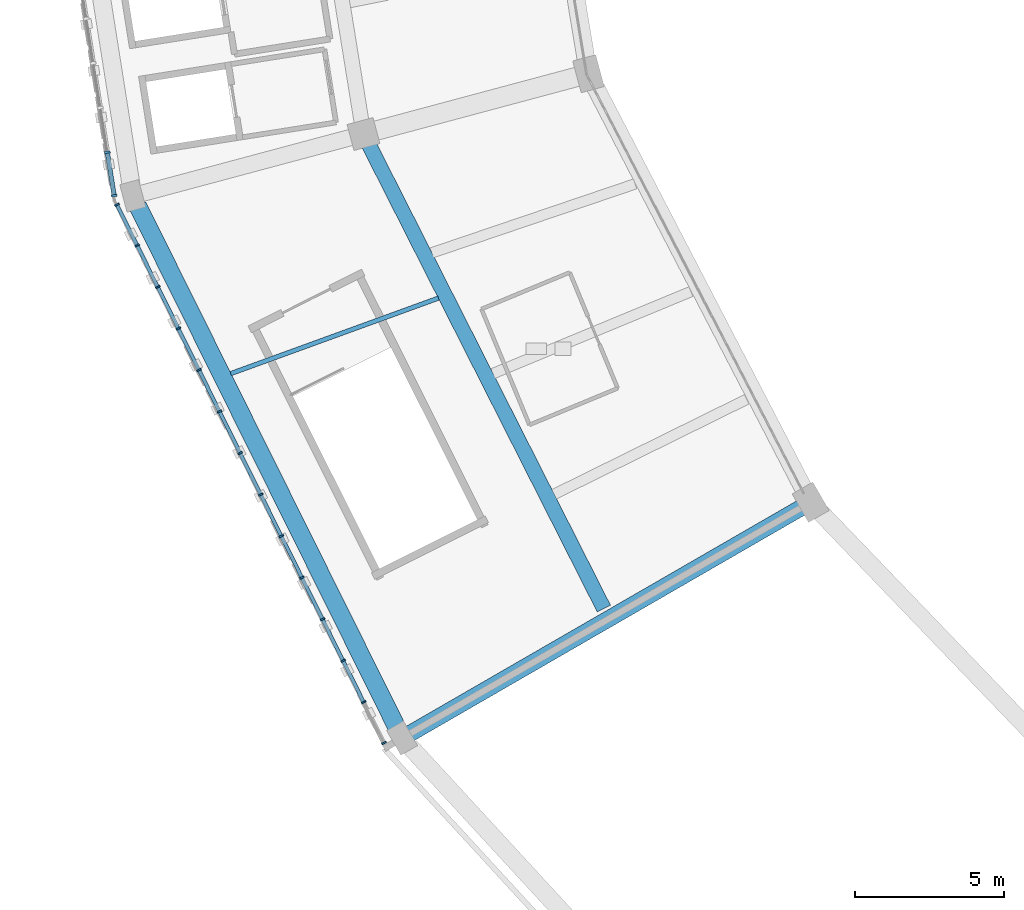
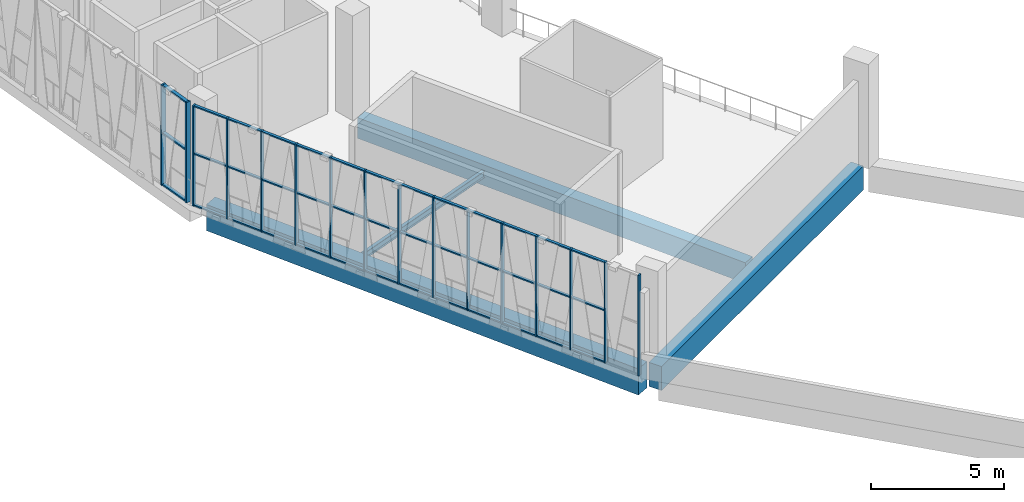
# One storey, part 4 of 64: 55 members, 4 beams, 2 elements without a shape of their own.
"""IFC4 building model written with IfcOpenShell, lengths in metres."""

from ifc_helpers import new_model, si_unit, direction, frame, origin, origin_2d, place, context, subcontext, project, spatial, rectangle, i_section, extrude, material, material_profile, profile_set, type_object, element, aggregate, save


model = new_model("IFC4")

# Units and contexts
model_context = context("Model", 3, precision=1e-05, world=origin(), true_north=direction((0.0, 1.0)))
body_context = subcontext(model_context, "Body", "Model", "MODEL_VIEW")
ifc_project = project(units=[si_unit("LENGTHUNIT", "METRE"), si_unit("AREAUNIT", "SQUARE_METRE"), si_unit("VOLUMEUNIT", "CUBIC_METRE"), si_unit("PLANEANGLEUNIT", "RADIAN"), si_unit("MASSUNIT", "GRAM", prefix="KILO")], contexts=[model_context])

# Site, building, storey
site_placement = place(None, origin())
site = spatial("IfcSite", under=ifc_project, at=site_placement, CompositionType="ELEMENT")
building_placement = place(site_placement, origin())
building = spatial("IfcBuilding", under=site, at=building_placement, Name="Zevraka Park Crest Stadium", CompositionType="ELEMENT")
storey_placement = place(building_placement, frame((0.0, 0.0, 24.60009765625)))
storey = spatial("IfcBuildingStorey", under=building, at=storey_placement, Name="L05", CompositionType="ELEMENT", Elevation=24.60009765625)

# Beam
ifc_material_1 = material(Name="Concrete C40/50", Category="concrete")
ifc_material_profile_1 = material_profile(ifc_material_1, rectangle(XDim=0.550048828125, YDim=1.10009765625, at=origin_2d()), Name="RC 1100x550")
ifc_profile_set_1 = profile_set([ifc_material_profile_1], Name="Concrete C40/50")
beam_type_1 = type_object("IfcBeamType", Name="BG02", PredefinedType="BEAM", material=ifc_profile_set_1)
beam_1_placement = place(storey_placement, frame((47.220947265625, 62.10009765625, -0.56005859375), z_axis=(-0.86601037836, -0.500026023896, 0.0), x_axis=(0.500026023896, -0.86601037836, 0.0)))
element("IfcBeam", 1, at=beam_1_placement, inside=storey, type_object=beam_type_1, Name="Radial Girder BG02 L05-BD-14", PredefinedType="BEAM", context=body_context, shape_type="SweptSolid", body=[
    extrude(rectangle(XDim=0.550048828125, YDim=1.10009765625, at=origin_2d()), origin(), (0.0, 0.0, 1.0), 15.199462890625),
])

# Curtain wall, members
ifc_material_2 = material(Name="Anodised architectural aluminium and laminated safety glass", Category="aluminium")
curtain_wall_type_1 = type_object("IfcCurtainWallType", Name="CW22", PredefinedType="NOTDEFINED", material=ifc_material_2)
curtain_wall_1_placement = place(storey_placement, origin())
curtain_wall_1 = element("IfcCurtainWall", 2, at=curtain_wall_1_placement, inside=storey, type_object=curtain_wall_type_1, Name="Unitised Ring Curtain Wall CW22 L05-13", PredefinedType="NOTDEFINED")
ifc_material_3 = material(Name="Anodised architectural aluminium", Category="aluminium")
ifc_material_profile_2 = material_profile(ifc_material_3, rectangle(XDim=0.159912109375, YDim=0.06005859375, at=origin_2d()), Name="ALU MULLION 160x60")
ifc_profile_set_2 = profile_set([ifc_material_profile_2], Name="Anodised architectural aluminium")
member_type_1 = type_object("IfcMemberType", Name="CM01", PredefinedType="MULLION", material=ifc_profile_set_2)
member_1_placement = place(storey_placement, frame((24.248291015625, 72.213134765625, 0.0), z_axis=(0.0, 0.0, 1.0), x_axis=(0.895879320455, 0.444297471499, 0.0)))
member_1 = element("IfcMember", 3, at=member_1_placement, type_object=member_type_1, Name="CW22 mullion 1", PredefinedType="MULLION", context=body_context, shape_type="SweptSolid", body=[
    extrude(rectangle(XDim=0.159912109375, YDim=0.06005859375, at=origin_2d()), origin(), (0.0, 0.0, 1.0), 4.619873046875),
])
member_2_placement = place(storey_placement, frame((24.9248046875, 70.849365234375, 0.0), z_axis=(0.0, 0.0, 1.0), x_axis=(0.895879320455, 0.444297471499, 0.0)))
member_2 = element("IfcMember", 4, at=member_2_placement, type_object=member_type_1, Name="CW22 mullion 2", PredefinedType="MULLION", context=body_context, shape_type="SweptSolid", body=[
    extrude(rectangle(XDim=0.159912109375, YDim=0.06005859375, at=origin_2d()), origin(), (0.0, 0.0, 1.0), 4.619873046875),
])
member_3_placement = place(storey_placement, frame((25.614501953125, 69.45849609375, 0.0), z_axis=(0.0, 0.0, 1.0), x_axis=(0.895879320455, 0.444297471499, 0.0)))
member_3 = element("IfcMember", 5, at=member_3_placement, type_object=member_type_1, Name="CW22 mullion 3", PredefinedType="MULLION", context=body_context, shape_type="SweptSolid", body=[
    extrude(rectangle(XDim=0.159912109375, YDim=0.06005859375, at=origin_2d()), origin(), (0.0, 0.0, 1.0), 4.619873046875),
])
member_4_placement = place(storey_placement, frame((26.303955078125, 68.06787109375, 0.0), z_axis=(0.0, 0.0, 1.0), x_axis=(0.895879320455, 0.444297471499, 0.0)))
member_4 = element("IfcMember", 6, at=member_4_placement, type_object=member_type_1, Name="CW22 mullion 4", PredefinedType="MULLION", context=body_context, shape_type="SweptSolid", body=[
    extrude(rectangle(XDim=0.159912109375, YDim=0.06005859375, at=origin_2d()), origin(), (0.0, 0.0, 1.0), 4.619873046875),
])
member_5_placement = place(storey_placement, frame((26.99365234375, 66.67724609375, 0.0), z_axis=(0.0, 0.0, 1.0), x_axis=(0.895879320455, 0.444297471499, 0.0)))
member_5 = element("IfcMember", 7, at=member_5_placement, type_object=member_type_1, Name="CW22 mullion 5", PredefinedType="MULLION", context=body_context, shape_type="SweptSolid", body=[
    extrude(rectangle(XDim=0.159912109375, YDim=0.06005859375, at=origin_2d()), origin(), (0.0, 0.0, 1.0), 4.619873046875),
])
member_6_placement = place(storey_placement, frame((27.683349609375, 65.28662109375, 0.0), z_axis=(0.0, 0.0, 1.0), x_axis=(0.895879320455, 0.444297471499, 0.0)))
member_6 = element("IfcMember", 8, at=member_6_placement, type_object=member_type_1, Name="CW22 mullion 6", PredefinedType="MULLION", context=body_context, shape_type="SweptSolid", body=[
    extrude(rectangle(XDim=0.159912109375, YDim=0.06005859375, at=origin_2d()), origin(), (0.0, 0.0, 1.0), 4.619873046875),
])
member_7_placement = place(storey_placement, frame((28.373046875, 63.895751953125, 0.0), z_axis=(0.0, 0.0, 1.0), x_axis=(0.895879320455, 0.444297471499, 0.0)))
member_7 = element("IfcMember", 9, at=member_7_placement, type_object=member_type_1, Name="CW22 mullion 7", PredefinedType="MULLION", context=body_context, shape_type="SweptSolid", body=[
    extrude(rectangle(XDim=0.159912109375, YDim=0.06005859375, at=origin_2d()), origin(), (0.0, 0.0, 1.0), 4.619873046875),
])
member_8_placement = place(storey_placement, frame((29.062744140625, 62.505126953125, 0.0), z_axis=(0.0, 0.0, 1.0), x_axis=(0.895879320455, 0.444297471499, 0.0)))
member_8 = element("IfcMember", 10, at=member_8_placement, type_object=member_type_1, Name="CW22 mullion 8", PredefinedType="MULLION", context=body_context, shape_type="SweptSolid", body=[
    extrude(rectangle(XDim=0.159912109375, YDim=0.06005859375, at=origin_2d()), origin(), (0.0, 0.0, 1.0), 4.619873046875),
])
member_9_placement = place(storey_placement, frame((29.75244140625, 61.114501953125, 0.0), z_axis=(0.0, 0.0, 1.0), x_axis=(0.895879320455, 0.444297471499, 0.0)))
member_9 = element("IfcMember", 11, at=member_9_placement, type_object=member_type_1, Name="CW22 mullion 9", PredefinedType="MULLION", context=body_context, shape_type="SweptSolid", body=[
    extrude(rectangle(XDim=0.159912109375, YDim=0.06005859375, at=origin_2d()), origin(), (0.0, 0.0, 1.0), 4.619873046875),
])
member_10_placement = place(storey_placement, frame((30.442138671875, 59.723876953125, 0.0), z_axis=(0.0, 0.0, 1.0), x_axis=(0.895879320455, 0.444297471499, 0.0)))
member_10 = element("IfcMember", 12, at=member_10_placement, type_object=member_type_1, Name="CW22 mullion 10", PredefinedType="MULLION", context=body_context, shape_type="SweptSolid", body=[
    extrude(rectangle(XDim=0.159912109375, YDim=0.06005859375, at=origin_2d()), origin(), (0.0, 0.0, 1.0), 4.619873046875),
])
member_11_placement = place(storey_placement, frame((31.1318359375, 58.3330078125, 0.0), z_axis=(0.0, 0.0, 1.0), x_axis=(0.895879320455, 0.444297471499, 0.0)))
member_11 = element("IfcMember", 13, at=member_11_placement, type_object=member_type_1, Name="CW22 mullion 11", PredefinedType="MULLION", context=body_context, shape_type="SweptSolid", body=[
    extrude(rectangle(XDim=0.159912109375, YDim=0.06005859375, at=origin_2d()), origin(), (0.0, 0.0, 1.0), 4.619873046875),
])
member_12_placement = place(storey_placement, frame((31.821533203125, 56.9423828125, 0.0), z_axis=(0.0, 0.0, 1.0), x_axis=(0.895879320455, 0.444297471499, 0.0)))
member_12 = element("IfcMember", 14, at=member_12_placement, type_object=member_type_1, Name="CW22 mullion 12", PredefinedType="MULLION", context=body_context, shape_type="SweptSolid", body=[
    extrude(rectangle(XDim=0.159912109375, YDim=0.06005859375, at=origin_2d()), origin(), (0.0, 0.0, 1.0), 4.619873046875),
])
member_13_placement = place(storey_placement, frame((32.51123046875, 55.5517578125, 0.0), z_axis=(0.0, 0.0, 1.0), x_axis=(0.895879320455, 0.444297471499, 0.0)))
member_13 = element("IfcMember", 15, at=member_13_placement, type_object=member_type_1, Name="CW22 mullion 13", PredefinedType="MULLION", context=body_context, shape_type="SweptSolid", body=[
    extrude(rectangle(XDim=0.159912109375, YDim=0.06005859375, at=origin_2d()), origin(), (0.0, 0.0, 1.0), 4.619873046875),
])
member_14_placement = place(storey_placement, frame((33.187744140625, 54.18798828125, 0.0), z_axis=(0.0, 0.0, 1.0), x_axis=(0.895879320455, 0.444297471499, 0.0)))
member_14 = element("IfcMember", 16, at=member_14_placement, type_object=member_type_1, Name="CW22 mullion 14", PredefinedType="MULLION", context=body_context, shape_type="SweptSolid", body=[
    extrude(rectangle(XDim=0.159912109375, YDim=0.06005859375, at=origin_2d()), origin(), (0.0, 0.0, 1.0), 4.619873046875),
])

ifc_material_4 = material(Name="Anodised architectural aluminium and laminated safety glass", Category="aluminium")
curtain_wall_type_2 = type_object("IfcCurtainWallType", Name="CW21", PredefinedType="NOTDEFINED", material=ifc_material_4)
curtain_wall_2_placement = place(storey_placement, origin())
curtain_wall_2 = element("IfcCurtainWall", 17, at=curtain_wall_2_placement, inside=storey, type_object=curtain_wall_type_2, Name="Unitised Ring Curtain Wall CW21 L05-12", PredefinedType="NOTDEFINED")
ifc_material_5 = material(Name="Anodised architectural aluminium", Category="aluminium")
ifc_material_profile_3 = material_profile(ifc_material_5, rectangle(XDim=0.199951171875, YDim=0.070068359375, at=origin_2d()), Name="ALU MULLION 200x70")
ifc_profile_set_3 = profile_set([ifc_material_profile_3], Name="Anodised architectural aluminium")
member_type_2 = type_object("IfcMemberType", Name="CM03", PredefinedType="MULLION", material=ifc_profile_set_3)
member_15_placement = place(storey_placement, frame((23.9228515625, 73.97265625, 0.0), z_axis=(0.0, 0.0, 1.0), x_axis=(0.987802580924, 0.155711467527, 0.0)))
member_15 = element("IfcMember", 18, at=member_15_placement, type_object=member_type_2, Name="CW21 mullion 13", PredefinedType="MULLION", context=body_context, shape_type="SweptSolid", body=[
    extrude(rectangle(XDim=0.199951171875, YDim=0.070068359375, at=origin_2d()), origin(), (0.0, 0.0, 1.0), 4.619873046875),
])
member_16_placement = place(storey_placement, frame((24.152587890625, 72.515625, 0.0), z_axis=(0.0, 0.0, 1.0), x_axis=(0.987802580924, 0.155711467527, 0.0)))
member_16 = element("IfcMember", 19, at=member_16_placement, type_object=member_type_2, Name="CW21 mullion 14", PredefinedType="MULLION", context=body_context, shape_type="SweptSolid", body=[
    extrude(rectangle(XDim=0.199951171875, YDim=0.070068359375, at=origin_2d()), origin(), (0.0, 0.0, 1.0), 4.619873046875),
])

# Member
ifc_material_6 = material(Name="Anodised architectural aluminium", Category="aluminium")
ifc_material_profile_4 = material_profile(ifc_material_6, rectangle(XDim=0.1201171875, YDim=0.06005859375, at=origin_2d()), Name="ALU TRANSOM 120x60")
ifc_profile_set_4 = profile_set([ifc_material_profile_4], Name="Anodised architectural aluminium")
member_type_3 = type_object("IfcMemberType", Name="CT01", PredefinedType="USERDEFINED", material=ifc_profile_set_4)
member_17_placement = place(storey_placement, frame((24.26171875, 72.186279296875, 0.02978515625), z_axis=(0.444272737826, -0.895891586312, 0.0), x_axis=(0.895891586312, 0.444272737826, 0.0)))
member_17 = element("IfcMember", 20, at=member_17_placement, type_object=member_type_3, Name="CW22 transom 1.1", ObjectType="TRANSOM", PredefinedType="USERDEFINED", context=body_context, shape_type="SweptSolid", body=[
    extrude(rectangle(XDim=0.1201171875, YDim=0.06005859375, at=origin_2d()), origin(), (0.0, 0.0, 1.0), 1.46240234375),
])

member_18_placement = place(storey_placement, frame((24.26171875, 72.186279296875, 2.39990234375), z_axis=(0.444272737826, -0.895891586312, 0.0), x_axis=(0.895891586312, 0.444272737826, 0.0)))
member_18 = element("IfcMember", 21, at=member_18_placement, type_object=member_type_3, Name="CW22 transom 1.2", ObjectType="TRANSOM", PredefinedType="USERDEFINED", context=body_context, shape_type="SweptSolid", body=[
    extrude(rectangle(XDim=0.1201171875, YDim=0.06005859375, at=origin_2d()), origin(), (0.0, 0.0, 1.0), 1.46240234375),
])

member_19_placement = place(storey_placement, frame((24.26171875, 72.186279296875, 4.58984375), z_axis=(0.444272737826, -0.895891586312, 0.0), x_axis=(0.895891586312, 0.444272737826, 0.0)))
member_19 = element("IfcMember", 22, at=member_19_placement, type_object=member_type_3, Name="CW22 transom 1.3", ObjectType="TRANSOM", PredefinedType="USERDEFINED", context=body_context, shape_type="SweptSolid", body=[
    extrude(rectangle(XDim=0.1201171875, YDim=0.06005859375, at=origin_2d()), origin(), (0.0, 0.0, 1.0), 1.46240234375),
])

member_20_placement = place(storey_placement, frame((24.93798828125, 70.822509765625, 0.02978515625), z_axis=(0.444331954809, -0.895862218165, 0.0), x_axis=(0.895862218165, 0.444331954809, 0.0)))
member_20 = element("IfcMember", 23, at=member_20_placement, type_object=member_type_3, Name="CW22 transom 2.1", ObjectType="TRANSOM", PredefinedType="USERDEFINED", context=body_context, shape_type="SweptSolid", body=[
    extrude(rectangle(XDim=0.1201171875, YDim=0.06005859375, at=origin_2d()), origin(), (0.0, 0.0, 1.0), 1.492431640625),
])

member_21_placement = place(storey_placement, frame((24.93798828125, 70.822509765625, 2.39990234375), z_axis=(0.444331954809, -0.895862218165, 0.0), x_axis=(0.895862218165, 0.444331954809, 0.0)))
member_21 = element("IfcMember", 24, at=member_21_placement, type_object=member_type_3, Name="CW22 transom 2.2", ObjectType="TRANSOM", PredefinedType="USERDEFINED", context=body_context, shape_type="SweptSolid", body=[
    extrude(rectangle(XDim=0.1201171875, YDim=0.06005859375, at=origin_2d()), origin(), (0.0, 0.0, 1.0), 1.492431640625),
])

member_22_placement = place(storey_placement, frame((24.93798828125, 70.822509765625, 4.58984375), z_axis=(0.444331954809, -0.895862218165, 0.0), x_axis=(0.895862218165, 0.444331954809, 0.0)))
member_22 = element("IfcMember", 25, at=member_22_placement, type_object=member_type_3, Name="CW22 transom 2.3", ObjectType="TRANSOM", PredefinedType="USERDEFINED", context=body_context, shape_type="SweptSolid", body=[
    extrude(rectangle(XDim=0.1201171875, YDim=0.06005859375, at=origin_2d()), origin(), (0.0, 0.0, 1.0), 1.492431640625),
])

member_23_placement = place(storey_placement, frame((25.627685546875, 69.431640625, 0.02978515625), z_axis=(0.444331954809, -0.895862218165, 0.0), x_axis=(0.895862218165, 0.444331954809, 0.0)))
member_23 = element("IfcMember", 26, at=member_23_placement, type_object=member_type_3, Name="CW22 transom 3.1", ObjectType="TRANSOM", PredefinedType="USERDEFINED", context=body_context, shape_type="SweptSolid", body=[
    extrude(rectangle(XDim=0.1201171875, YDim=0.06005859375, at=origin_2d()), origin(), (0.0, 0.0, 1.0), 1.492431640625),
])

member_24_placement = place(storey_placement, frame((25.627685546875, 69.431640625, 2.39990234375), z_axis=(0.444331954809, -0.895862218165, 0.0), x_axis=(0.895862218165, 0.444331954809, 0.0)))
member_24 = element("IfcMember", 27, at=member_24_placement, type_object=member_type_3, Name="CW22 transom 3.2", ObjectType="TRANSOM", PredefinedType="USERDEFINED", context=body_context, shape_type="SweptSolid", body=[
    extrude(rectangle(XDim=0.1201171875, YDim=0.06005859375, at=origin_2d()), origin(), (0.0, 0.0, 1.0), 1.492431640625),
])

member_25_placement = place(storey_placement, frame((25.627685546875, 69.431640625, 4.58984375), z_axis=(0.444331954809, -0.895862218165, 0.0), x_axis=(0.895862218165, 0.444331954809, 0.0)))
member_25 = element("IfcMember", 28, at=member_25_placement, type_object=member_type_3, Name="CW22 transom 3.3", ObjectType="TRANSOM", PredefinedType="USERDEFINED", context=body_context, shape_type="SweptSolid", body=[
    extrude(rectangle(XDim=0.1201171875, YDim=0.06005859375, at=origin_2d()), origin(), (0.0, 0.0, 1.0), 1.492431640625),
])

member_26_placement = place(storey_placement, frame((26.3173828125, 68.041015625, 0.02978515625), z_axis=(0.444331954809, -0.895862218165, 0.0), x_axis=(0.895862218165, 0.444331954809, 0.0)))
member_26 = element("IfcMember", 29, at=member_26_placement, type_object=member_type_3, Name="CW22 transom 4.1", ObjectType="TRANSOM", PredefinedType="USERDEFINED", context=body_context, shape_type="SweptSolid", body=[
    extrude(rectangle(XDim=0.1201171875, YDim=0.06005859375, at=origin_2d()), origin(), (0.0, 0.0, 1.0), 1.492431640625),
])

member_27_placement = place(storey_placement, frame((26.3173828125, 68.041015625, 2.39990234375), z_axis=(0.444331954809, -0.895862218165, 0.0), x_axis=(0.895862218165, 0.444331954809, 0.0)))
member_27 = element("IfcMember", 30, at=member_27_placement, type_object=member_type_3, Name="CW22 transom 4.2", ObjectType="TRANSOM", PredefinedType="USERDEFINED", context=body_context, shape_type="SweptSolid", body=[
    extrude(rectangle(XDim=0.1201171875, YDim=0.06005859375, at=origin_2d()), origin(), (0.0, 0.0, 1.0), 1.492431640625),
])

member_28_placement = place(storey_placement, frame((26.3173828125, 68.041015625, 4.58984375), z_axis=(0.444331954809, -0.895862218165, 0.0), x_axis=(0.895862218165, 0.444331954809, 0.0)))
member_28 = element("IfcMember", 31, at=member_28_placement, type_object=member_type_3, Name="CW22 transom 4.3", ObjectType="TRANSOM", PredefinedType="USERDEFINED", context=body_context, shape_type="SweptSolid", body=[
    extrude(rectangle(XDim=0.1201171875, YDim=0.06005859375, at=origin_2d()), origin(), (0.0, 0.0, 1.0), 1.492431640625),
])

member_29_placement = place(storey_placement, frame((27.007080078125, 66.650390625, 0.02978515625), z_axis=(0.444331954809, -0.895862218165, 0.0), x_axis=(0.895862218165, 0.444331954809, 0.0)))
member_29 = element("IfcMember", 32, at=member_29_placement, type_object=member_type_3, Name="CW22 transom 5.1", ObjectType="TRANSOM", PredefinedType="USERDEFINED", context=body_context, shape_type="SweptSolid", body=[
    extrude(rectangle(XDim=0.1201171875, YDim=0.06005859375, at=origin_2d()), origin(), (0.0, 0.0, 1.0), 1.492431640625),
])

member_30_placement = place(storey_placement, frame((27.007080078125, 66.650390625, 2.39990234375), z_axis=(0.444331954809, -0.895862218165, 0.0), x_axis=(0.895862218165, 0.444331954809, 0.0)))
member_30 = element("IfcMember", 33, at=member_30_placement, type_object=member_type_3, Name="CW22 transom 5.2", ObjectType="TRANSOM", PredefinedType="USERDEFINED", context=body_context, shape_type="SweptSolid", body=[
    extrude(rectangle(XDim=0.1201171875, YDim=0.06005859375, at=origin_2d()), origin(), (0.0, 0.0, 1.0), 1.492431640625),
])

member_31_placement = place(storey_placement, frame((27.007080078125, 66.650390625, 4.58984375), z_axis=(0.444331954809, -0.895862218165, 0.0), x_axis=(0.895862218165, 0.444331954809, 0.0)))
member_31 = element("IfcMember", 34, at=member_31_placement, type_object=member_type_3, Name="CW22 transom 5.3", ObjectType="TRANSOM", PredefinedType="USERDEFINED", context=body_context, shape_type="SweptSolid", body=[
    extrude(rectangle(XDim=0.1201171875, YDim=0.06005859375, at=origin_2d()), origin(), (0.0, 0.0, 1.0), 1.492431640625),
])

member_32_placement = place(storey_placement, frame((27.69677734375, 65.259765625, 0.02978515625), z_axis=(0.444266841356, -0.895894510348, 0.0), x_axis=(0.895894510348, 0.444266841356, 0.0)))
member_32 = element("IfcMember", 35, at=member_32_placement, type_object=member_type_3, Name="CW22 transom 6.1", ObjectType="TRANSOM", PredefinedType="USERDEFINED", context=body_context, shape_type="SweptSolid", body=[
    extrude(rectangle(XDim=0.1201171875, YDim=0.06005859375, at=origin_2d()), origin(), (0.0, 0.0, 1.0), 1.492431640625),
])

member_33_placement = place(storey_placement, frame((27.69677734375, 65.259765625, 2.39990234375), z_axis=(0.444266841356, -0.895894510348, 0.0), x_axis=(0.895894510348, 0.444266841356, 0.0)))
member_33 = element("IfcMember", 36, at=member_33_placement, type_object=member_type_3, Name="CW22 transom 6.2", ObjectType="TRANSOM", PredefinedType="USERDEFINED", context=body_context, shape_type="SweptSolid", body=[
    extrude(rectangle(XDim=0.1201171875, YDim=0.06005859375, at=origin_2d()), origin(), (0.0, 0.0, 1.0), 1.492431640625),
])

member_34_placement = place(storey_placement, frame((27.69677734375, 65.259765625, 4.58984375), z_axis=(0.444266841356, -0.895894510348, 0.0), x_axis=(0.895894510348, 0.444266841356, 0.0)))
member_34 = element("IfcMember", 37, at=member_34_placement, type_object=member_type_3, Name="CW22 transom 6.3", ObjectType="TRANSOM", PredefinedType="USERDEFINED", context=body_context, shape_type="SweptSolid", body=[
    extrude(rectangle(XDim=0.1201171875, YDim=0.06005859375, at=origin_2d()), origin(), (0.0, 0.0, 1.0), 1.492431640625),
])

member_35_placement = place(storey_placement, frame((28.386474609375, 63.868896484375, 0.02978515625), z_axis=(0.444331954809, -0.895862218165, 0.0), x_axis=(0.895862218165, 0.444331954809, 0.0)))
member_35 = element("IfcMember", 38, at=member_35_placement, type_object=member_type_3, Name="CW22 transom 7.1", ObjectType="TRANSOM", PredefinedType="USERDEFINED", context=body_context, shape_type="SweptSolid", body=[
    extrude(rectangle(XDim=0.1201171875, YDim=0.06005859375, at=origin_2d()), origin(), (0.0, 0.0, 1.0), 1.492431640625),
])

member_36_placement = place(storey_placement, frame((28.386474609375, 63.868896484375, 2.39990234375), z_axis=(0.444331954809, -0.895862218165, 0.0), x_axis=(0.895862218165, 0.444331954809, 0.0)))
member_36 = element("IfcMember", 39, at=member_36_placement, type_object=member_type_3, Name="CW22 transom 7.2", ObjectType="TRANSOM", PredefinedType="USERDEFINED", context=body_context, shape_type="SweptSolid", body=[
    extrude(rectangle(XDim=0.1201171875, YDim=0.06005859375, at=origin_2d()), origin(), (0.0, 0.0, 1.0), 1.492431640625),
])

member_37_placement = place(storey_placement, frame((28.386474609375, 63.868896484375, 4.58984375), z_axis=(0.444331954809, -0.895862218165, 0.0), x_axis=(0.895862218165, 0.444331954809, 0.0)))
member_37 = element("IfcMember", 40, at=member_37_placement, type_object=member_type_3, Name="CW22 transom 7.3", ObjectType="TRANSOM", PredefinedType="USERDEFINED", context=body_context, shape_type="SweptSolid", body=[
    extrude(rectangle(XDim=0.1201171875, YDim=0.06005859375, at=origin_2d()), origin(), (0.0, 0.0, 1.0), 1.492431640625),
])

member_38_placement = place(storey_placement, frame((29.076171875, 62.478271484375, 0.02978515625), z_axis=(0.444331954809, -0.895862218165, 0.0), x_axis=(0.895862218165, 0.444331954809, 0.0)))
member_38 = element("IfcMember", 41, at=member_38_placement, type_object=member_type_3, Name="CW22 transom 8.1", ObjectType="TRANSOM", PredefinedType="USERDEFINED", context=body_context, shape_type="SweptSolid", body=[
    extrude(rectangle(XDim=0.1201171875, YDim=0.06005859375, at=origin_2d()), origin(), (0.0, 0.0, 1.0), 1.492431640625),
])

member_39_placement = place(storey_placement, frame((29.076171875, 62.478271484375, 2.39990234375), z_axis=(0.444331954809, -0.895862218165, 0.0), x_axis=(0.895862218165, 0.444331954809, 0.0)))
member_39 = element("IfcMember", 42, at=member_39_placement, type_object=member_type_3, Name="CW22 transom 8.2", ObjectType="TRANSOM", PredefinedType="USERDEFINED", context=body_context, shape_type="SweptSolid", body=[
    extrude(rectangle(XDim=0.1201171875, YDim=0.06005859375, at=origin_2d()), origin(), (0.0, 0.0, 1.0), 1.492431640625),
])

member_40_placement = place(storey_placement, frame((29.076171875, 62.478271484375, 4.58984375), z_axis=(0.444331954809, -0.895862218165, 0.0), x_axis=(0.895862218165, 0.444331954809, 0.0)))
member_40 = element("IfcMember", 43, at=member_40_placement, type_object=member_type_3, Name="CW22 transom 8.3", ObjectType="TRANSOM", PredefinedType="USERDEFINED", context=body_context, shape_type="SweptSolid", body=[
    extrude(rectangle(XDim=0.1201171875, YDim=0.06005859375, at=origin_2d()), origin(), (0.0, 0.0, 1.0), 1.492431640625),
])

member_41_placement = place(storey_placement, frame((29.765869140625, 61.087646484375, 0.02978515625), z_axis=(0.444331954809, -0.895862218165, 0.0), x_axis=(0.895862218165, 0.444331954809, 0.0)))
member_41 = element("IfcMember", 44, at=member_41_placement, type_object=member_type_3, Name="CW22 transom 9.1", ObjectType="TRANSOM", PredefinedType="USERDEFINED", context=body_context, shape_type="SweptSolid", body=[
    extrude(rectangle(XDim=0.1201171875, YDim=0.06005859375, at=origin_2d()), origin(), (0.0, 0.0, 1.0), 1.492431640625),
])

member_42_placement = place(storey_placement, frame((29.765869140625, 61.087646484375, 2.39990234375), z_axis=(0.444331954809, -0.895862218165, 0.0), x_axis=(0.895862218165, 0.444331954809, 0.0)))
member_42 = element("IfcMember", 45, at=member_42_placement, type_object=member_type_3, Name="CW22 transom 9.2", ObjectType="TRANSOM", PredefinedType="USERDEFINED", context=body_context, shape_type="SweptSolid", body=[
    extrude(rectangle(XDim=0.1201171875, YDim=0.06005859375, at=origin_2d()), origin(), (0.0, 0.0, 1.0), 1.492431640625),
])

member_43_placement = place(storey_placement, frame((29.765869140625, 61.087646484375, 4.58984375), z_axis=(0.444331954809, -0.895862218165, 0.0), x_axis=(0.895862218165, 0.444331954809, 0.0)))
member_43 = element("IfcMember", 46, at=member_43_placement, type_object=member_type_3, Name="CW22 transom 9.3", ObjectType="TRANSOM", PredefinedType="USERDEFINED", context=body_context, shape_type="SweptSolid", body=[
    extrude(rectangle(XDim=0.1201171875, YDim=0.06005859375, at=origin_2d()), origin(), (0.0, 0.0, 1.0), 1.492431640625),
])

member_44_placement = place(storey_placement, frame((30.45556640625, 59.69677734375, 0.02978515625), z_axis=(0.444331954809, -0.895862218165, 0.0), x_axis=(0.895862218165, 0.444331954809, 0.0)))
member_44 = element("IfcMember", 47, at=member_44_placement, type_object=member_type_3, Name="CW22 transom 10.1", ObjectType="TRANSOM", PredefinedType="USERDEFINED", context=body_context, shape_type="SweptSolid", body=[
    extrude(rectangle(XDim=0.1201171875, YDim=0.06005859375, at=origin_2d()), origin(), (0.0, 0.0, 1.0), 1.492431640625),
])

member_45_placement = place(storey_placement, frame((30.45556640625, 59.69677734375, 2.39990234375), z_axis=(0.444331954809, -0.895862218165, 0.0), x_axis=(0.895862218165, 0.444331954809, 0.0)))
member_45 = element("IfcMember", 48, at=member_45_placement, type_object=member_type_3, Name="CW22 transom 10.2", ObjectType="TRANSOM", PredefinedType="USERDEFINED", context=body_context, shape_type="SweptSolid", body=[
    extrude(rectangle(XDim=0.1201171875, YDim=0.06005859375, at=origin_2d()), origin(), (0.0, 0.0, 1.0), 1.492431640625),
])

member_46_placement = place(storey_placement, frame((30.45556640625, 59.69677734375, 4.58984375), z_axis=(0.444331954809, -0.895862218165, 0.0), x_axis=(0.895862218165, 0.444331954809, 0.0)))
member_46 = element("IfcMember", 49, at=member_46_placement, type_object=member_type_3, Name="CW22 transom 10.3", ObjectType="TRANSOM", PredefinedType="USERDEFINED", context=body_context, shape_type="SweptSolid", body=[
    extrude(rectangle(XDim=0.1201171875, YDim=0.06005859375, at=origin_2d()), origin(), (0.0, 0.0, 1.0), 1.492431640625),
])

member_47_placement = place(storey_placement, frame((31.145263671875, 58.30615234375, 0.02978515625), z_axis=(0.444331954809, -0.895862218165, 0.0), x_axis=(0.895862218165, 0.444331954809, 0.0)))
member_47 = element("IfcMember", 50, at=member_47_placement, type_object=member_type_3, Name="CW22 transom 11.1", ObjectType="TRANSOM", PredefinedType="USERDEFINED", context=body_context, shape_type="SweptSolid", body=[
    extrude(rectangle(XDim=0.1201171875, YDim=0.06005859375, at=origin_2d()), origin(), (0.0, 0.0, 1.0), 1.492431640625),
])

member_48_placement = place(storey_placement, frame((31.145263671875, 58.30615234375, 2.39990234375), z_axis=(0.444331954809, -0.895862218165, 0.0), x_axis=(0.895862218165, 0.444331954809, 0.0)))
member_48 = element("IfcMember", 51, at=member_48_placement, type_object=member_type_3, Name="CW22 transom 11.2", ObjectType="TRANSOM", PredefinedType="USERDEFINED", context=body_context, shape_type="SweptSolid", body=[
    extrude(rectangle(XDim=0.1201171875, YDim=0.06005859375, at=origin_2d()), origin(), (0.0, 0.0, 1.0), 1.492431640625),
])

member_49_placement = place(storey_placement, frame((31.145263671875, 58.30615234375, 4.58984375), z_axis=(0.444331954809, -0.895862218165, 0.0), x_axis=(0.895862218165, 0.444331954809, 0.0)))
member_49 = element("IfcMember", 52, at=member_49_placement, type_object=member_type_3, Name="CW22 transom 11.3", ObjectType="TRANSOM", PredefinedType="USERDEFINED", context=body_context, shape_type="SweptSolid", body=[
    extrude(rectangle(XDim=0.1201171875, YDim=0.06005859375, at=origin_2d()), origin(), (0.0, 0.0, 1.0), 1.492431640625),
])

member_50_placement = place(storey_placement, frame((31.8349609375, 56.91552734375, 0.02978515625), z_axis=(0.444331954809, -0.895862218165, 0.0), x_axis=(0.895862218165, 0.444331954809, 0.0)))
member_50 = element("IfcMember", 53, at=member_50_placement, type_object=member_type_3, Name="CW22 transom 12.1", ObjectType="TRANSOM", PredefinedType="USERDEFINED", context=body_context, shape_type="SweptSolid", body=[
    extrude(rectangle(XDim=0.1201171875, YDim=0.06005859375, at=origin_2d()), origin(), (0.0, 0.0, 1.0), 1.492431640625),
])

member_51_placement = place(storey_placement, frame((31.8349609375, 56.91552734375, 2.39990234375), z_axis=(0.444331954809, -0.895862218165, 0.0), x_axis=(0.895862218165, 0.444331954809, 0.0)))
member_51 = element("IfcMember", 54, at=member_51_placement, type_object=member_type_3, Name="CW22 transom 12.2", ObjectType="TRANSOM", PredefinedType="USERDEFINED", context=body_context, shape_type="SweptSolid", body=[
    extrude(rectangle(XDim=0.1201171875, YDim=0.06005859375, at=origin_2d()), origin(), (0.0, 0.0, 1.0), 1.492431640625),
])

member_52_placement = place(storey_placement, frame((31.8349609375, 56.91552734375, 4.58984375), z_axis=(0.444331954809, -0.895862218165, 0.0), x_axis=(0.895862218165, 0.444331954809, 0.0)))
member_52 = element("IfcMember", 55, at=member_52_placement, type_object=member_type_3, Name="CW22 transom 12.3", ObjectType="TRANSOM", PredefinedType="USERDEFINED", context=body_context, shape_type="SweptSolid", body=[
    extrude(rectangle(XDim=0.1201171875, YDim=0.06005859375, at=origin_2d()), origin(), (0.0, 0.0, 1.0), 1.492431640625),
])

aggregate(curtain_wall_1, [member_1, member_2, member_3, member_4, member_5, member_6, member_7, member_8, member_9, member_10, member_11, member_12, member_13, member_14, member_17, member_18, member_19, member_20, member_21, member_22, member_23, member_24, member_25, member_26, member_27, member_28, member_29, member_30, member_31, member_32, member_33, member_34, member_35, member_36, member_37, member_38, member_39, member_40, member_41, member_42, member_43, member_44, member_45, member_46, member_47, member_48, member_49, member_50, member_51, member_52])

ifc_material_7 = material(Name="Anodised architectural aluminium", Category="aluminium")
ifc_material_profile_5 = material_profile(ifc_material_7, rectangle(XDim=0.14990234375, YDim=0.070068359375, at=origin_2d()), Name="ALU TRANSOM 150x70")
ifc_profile_set_5 = profile_set([ifc_material_profile_5], Name="Anodised architectural aluminium")
member_type_4 = type_object("IfcMemberType", Name="CT03", PredefinedType="USERDEFINED", material=ifc_profile_set_5)
member_53_placement = place(storey_placement, frame((23.92822265625, 73.938232421875, 0.034912109375), z_axis=(0.155828759043, -0.987784084634, 0.0), x_axis=(0.987784084634, 0.155828759043, 0.0)))
member_53 = element("IfcMember", 56, at=member_53_placement, type_object=member_type_4, Name="CW21 transom 13.1", ObjectType="TRANSOM", PredefinedType="USERDEFINED", context=body_context, shape_type="SweptSolid", body=[
    extrude(rectangle(XDim=0.14990234375, YDim=0.070068359375, at=origin_2d()), origin(), (0.0, 0.0, 1.0), 1.4052734375),
])

member_54_placement = place(storey_placement, frame((23.92822265625, 73.938232421875, 2.39990234375), z_axis=(0.155828759043, -0.987784084634, 0.0), x_axis=(0.987784084634, 0.155828759043, 0.0)))
member_54 = element("IfcMember", 57, at=member_54_placement, type_object=member_type_4, Name="CW21 transom 13.2", ObjectType="TRANSOM", PredefinedType="USERDEFINED", context=body_context, shape_type="SweptSolid", body=[
    extrude(rectangle(XDim=0.14990234375, YDim=0.070068359375, at=origin_2d()), origin(), (0.0, 0.0, 1.0), 1.4052734375),
])

member_55_placement = place(storey_placement, frame((23.92822265625, 73.938232421875, 4.5849609375), z_axis=(0.155828759043, -0.987784084634, 0.0), x_axis=(0.987784084634, 0.155828759043, 0.0)))
member_55 = element("IfcMember", 58, at=member_55_placement, type_object=member_type_4, Name="CW21 transom 13.3", ObjectType="TRANSOM", PredefinedType="USERDEFINED", context=body_context, shape_type="SweptSolid", body=[
    extrude(rectangle(XDim=0.14990234375, YDim=0.070068359375, at=origin_2d()), origin(), (0.0, 0.0, 1.0), 1.4052734375),
])

aggregate(curtain_wall_2, [member_15, member_16, member_53, member_54, member_55])

# Beams
ifc_material_8 = material(Name="Concrete C40/50", Category="concrete")
ifc_material_profile_6 = material_profile(ifc_material_8, rectangle(XDim=0.60009765625, YDim=1.199951171875, at=origin_2d()), Name="RC 1200x600")
ifc_profile_set_6 = profile_set([ifc_material_profile_6], Name="Concrete C40/50")
beam_type_2 = type_object("IfcBeamType", Name="RB01", PredefinedType="BEAM", material=ifc_profile_set_6)
beam_2_placement = place(storey_placement, frame((24.946044921875, 72.1708984375, -0.610107421875), z_axis=(0.444850507814, -0.895604837916, 0.0), x_axis=(0.895604837916, 0.444850507814, 0.0)))
element("IfcBeam", 59, at=beam_2_placement, inside=storey, type_object=beam_type_2, Name="Ring Beam RB01 L05-D-13", PredefinedType="BEAM", context=body_context, shape_type="SweptSolid", body=[
    extrude(rectangle(XDim=0.60009765625, YDim=1.199951171875, at=origin_2d()), origin(), (0.0, 0.0, 1.0), 19.5185546875),
])
ifc_material_9 = material(Name="Concrete C40/50", Category="concrete")
ifc_material_profile_7 = material_profile(ifc_material_9, rectangle(XDim=0.5, YDim=0.949951171875, at=origin_2d()), Name="RC 950x500")
ifc_profile_set_7 = profile_set([ifc_material_profile_7], Name="Concrete C40/50")
beam_type_3 = type_object("IfcBeamType", Name="RB02", PredefinedType="BEAM", material=ifc_profile_set_7)
beam_3_placement = place(storey_placement, frame((32.676025390625, 74.241943359375, -0.485107421875), z_axis=(0.451862275442, -0.892087710953, 0.0), x_axis=(0.892087710953, 0.451862275442, 0.0)))
element("IfcBeam", 60, at=beam_3_placement, inside=storey, type_object=beam_type_3, Name="Ring Beam RB02 L05-C-13", PredefinedType="BEAM", context=body_context, shape_type="SweptSolid", body=[
    extrude(rectangle(XDim=0.5, YDim=0.949951171875, at=origin_2d()), origin(), (0.0, 0.0, 1.0), 17.434326171875),
])
ifc_material_10 = material(Name="Steel S355", Category="steel")
ifc_material_profile_8 = material_profile(ifc_material_10, i_section(OverallWidth=0.14990234375, OverallDepth=0.300048828125, WebThickness=0.007080078125, FlangeThickness=0.0107421875, at=origin_2d()), Name="IPE 300")
ifc_profile_set_8 = profile_set([ifc_material_profile_8], Name="Steel S355")
beam_type_4 = type_object("IfcBeamType", Name="SJ01", PredefinedType="JOIST", material=ifc_profile_set_8)
beam_4_placement = place(storey_placement, frame((35.013916015625, 69.0869140625, -0.418212890625), z_axis=(-0.939772225385, -0.341801352243, 0.0), x_axis=(0.341801352243, -0.939772225385, 0.0)))
element("IfcBeam", 61, at=beam_4_placement, inside=storey, type_object=beam_type_4, Name="Floor Joist SJ01 L05-CD-13-1", PredefinedType="JOIST", context=body_context, shape_type="SweptSolid", body=[
    extrude(i_section(OverallWidth=0.14990234375, OverallDepth=0.300048828125, WebThickness=0.007080078125, FlangeThickness=0.0107421875, at=origin_2d()), origin(), (0.0, 0.0, 1.0), 7.3984375),
])

save(model, "model.ifc")
